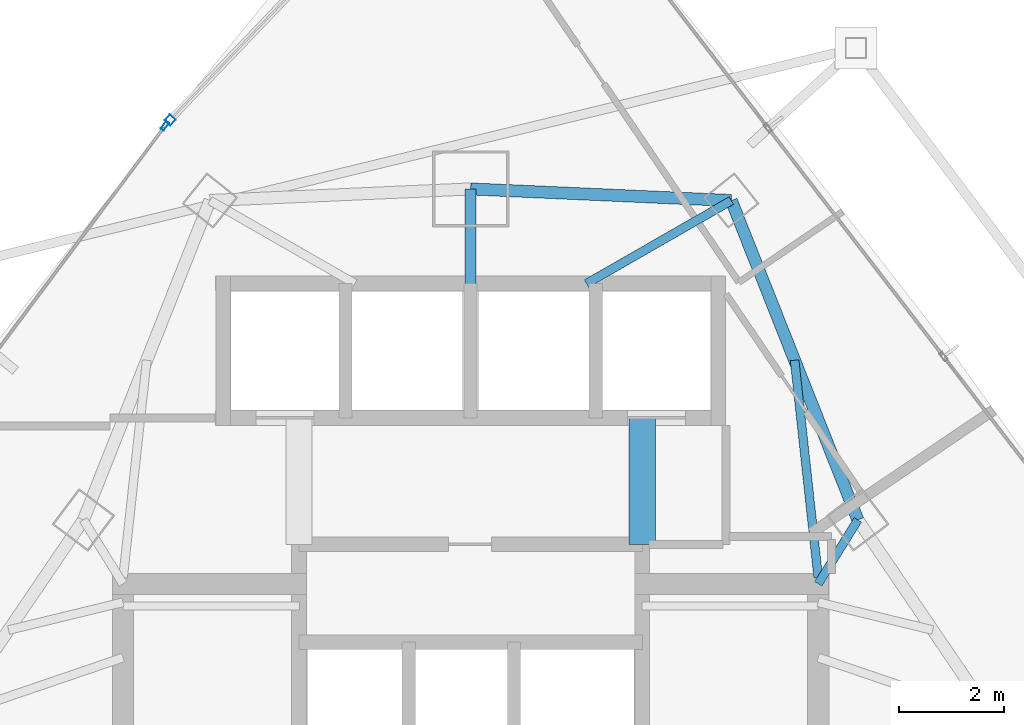
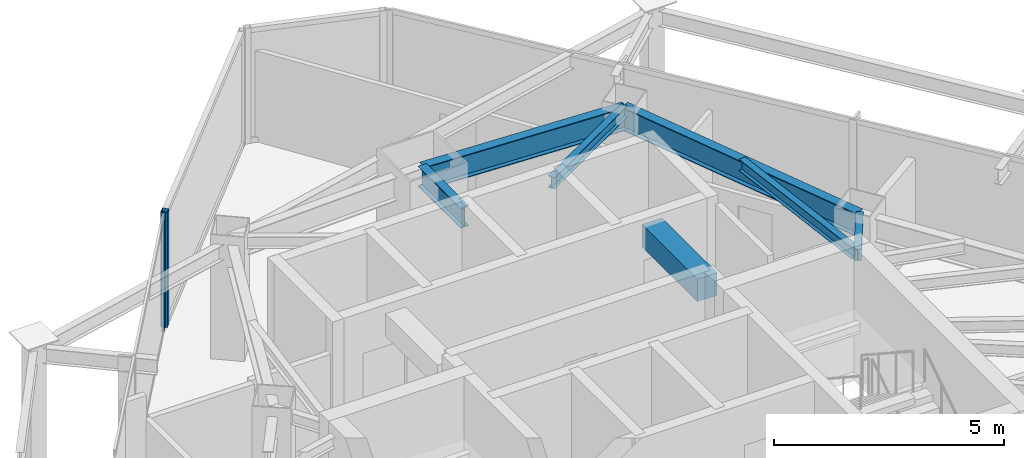
# One storey, part 19 of 29: 7 beams, 2 members, 2 elements without a shape of their own.
"""IFC4 building model written with IfcOpenShell, lengths in metres."""

import ifcopenshell
import ifcopenshell.guid

model = None  # the IFC model being written
_history = None  # IfcOwnerHistory: only IFC2X3 demands one
_inside = {}  # id of a spatial element -> (the spatial element, [elements in it])
_under = {}  # id of a project, library or spatial element -> (it, [spatial elements below it])
_declared = {}  # id of a project -> (the project, [libraries it declares])
_typed = {}  # id of a type object -> (the type object, [elements of that type])
_made_of = {}  # id of a material, layer set ... -> (it, [elements and type objects made of it])


def new_model(schema):
    """Start an empty IFC model of exactly this schema.

    Asked for "IFC4X3", IfcOpenShell would pick the latest addendum, in which some entities
    have other attributes; the version numbers below select the first issue.
    IFC2X3 requires an IfcOwnerHistory on every rooted entity: one is made here for all.
    """
    global model, _history
    if schema == "IFC4X3":
        model = ifcopenshell.file(schema_version=(4, 3, 0, 0))
    else:
        model = ifcopenshell.file(schema=schema)
    _inside.clear()
    _under.clear()
    _declared.clear()
    _typed.clear()
    _made_of.clear()
    _history = None
    if model.schema == "IFC2X3":
        org = make("IfcOrganization", Name="unknown")
        user = make(
            "IfcPersonAndOrganization",
            ThePerson=make("IfcPerson", FamilyName="unknown"),
            TheOrganization=org,
        )
        app = make(
            "IfcApplication",
            ApplicationDeveloper=org,
            Version="unknown",
            ApplicationFullName="unknown",
            ApplicationIdentifier="unknown",
        )
        _history = make(
            "IfcOwnerHistory",
            OwningUser=user,
            OwningApplication=app,
            ChangeAction="ADDED",
            CreationDate=0,
        )
    return model


def make(cls, **values):
    """One entity of the class cls with the attributes given. An attribute that is None is left unset."""
    return model.create_entity(
        cls, **{name: value for name, value in values.items() if value is not None}
    )


def rooted(cls, **values):
    """An entity with a GlobalId (a new one), such as an element, a storey or a relation."""
    return make(cls, GlobalId=ifcopenshell.guid.new(), OwnerHistory=_history, **values)


def si_unit(unit_type, name, prefix=None):
    """IfcSIUnit, for example si_unit("LENGTHUNIT", "METRE", prefix="MILLI")."""
    return make("IfcSIUnit", UnitType=unit_type, Prefix=prefix, Name=name)


def assignment(units):
    """IfcUnitAssignment: the units of a project."""
    return None if units is None else make("IfcUnitAssignment", Units=units)


def point(xyz):
    """IfcCartesianPoint."""
    return None if xyz is None else make("IfcCartesianPoint", Coordinates=xyz)


def direction(xyz):
    """IfcDirection."""
    return None if xyz is None else make("IfcDirection", DirectionRatios=xyz)


def frame(location, z_axis=None, x_axis=None):
    """IfcAxis2Placement3D, a coordinate frame: its origin and axes. An axis left out is left unset."""
    return make(
        "IfcAxis2Placement3D",
        Location=point(location),
        Axis=direction(z_axis),
        RefDirection=direction(x_axis),
    )


def frame_2d(location, x_axis=None):
    """IfcAxis2Placement2D, a coordinate frame in the plane: its origin and x axis."""
    return make(
        "IfcAxis2Placement2D", Location=point(location), RefDirection=direction(x_axis)
    )


def origin():
    """The frame at (0, 0, 0) with its axes left unset."""
    return frame((0.0, 0.0, 0.0))


def origin_2d():
    """The frame at (0, 0) in the plane with its x axis left unset."""
    return frame_2d((0.0, 0.0))


def place(relative_to, where):
    """IfcLocalPlacement: puts the frame where relative to a parent placement (None: the world)."""
    return make(
        "IfcLocalPlacement", PlacementRelTo=relative_to, RelativePlacement=where
    )


def context(
    kind, dimensions, precision=None, world=None, true_north=None, identifier=None
):
    """IfcGeometricRepresentationContext, for example the 3D "Model" context."""
    return make(
        "IfcGeometricRepresentationContext",
        ContextIdentifier=identifier,
        ContextType=kind,
        CoordinateSpaceDimension=dimensions,
        Precision=precision,
        WorldCoordinateSystem=world,
        TrueNorth=true_north,
    )


def subcontext(parent, identifier, kind, view, scale=None):
    """IfcGeometricRepresentationSubContext, for example "Body" below "Model"."""
    return make(
        "IfcGeometricRepresentationSubContext",
        ContextIdentifier=identifier,
        ContextType=kind,
        ParentContext=parent,
        TargetScale=scale,
        TargetView=view,
    )


def project(units=None, contexts=None):
    """IfcProject with its units and contexts."""
    return rooted(
        "IfcProject",
        Name="project",
        RepresentationContexts=contexts,
        UnitsInContext=assignment(units),
    )


def spatial(cls, under=None, at=None, **own):
    """A site, building, storey or space (cls), placed at a placement, below another one or the project."""
    s = rooted(cls, ObjectPlacement=at, **own)
    if under is not None:
        _under.setdefault(under.id(), (under, []))[1].append(s)
    return s


def profile(cls, at=None, kind="AREA", **sizes):
    """A parametric profile (cls). Its sizes go by their IFC names, for example OverallWidth=200.0."""
    return make(cls, ProfileType=kind, Position=at, **sizes)


def rectangle(**sizes):
    """IfcRectangleProfileDef."""
    return profile("IfcRectangleProfileDef", **sizes)


def hollow_rectangle(**sizes):
    """IfcRectangleHollowProfileDef."""
    return profile("IfcRectangleHollowProfileDef", **sizes)


def i_section(**sizes):
    """IfcIShapeProfileDef."""
    return profile("IfcIShapeProfileDef", **sizes)


def extrude(swept, where, along, depth):
    """IfcExtrudedAreaSolid: the profile swept, set in the frame where, extruded along a direction by depth."""
    return make(
        "IfcExtrudedAreaSolid",
        SweptArea=swept,
        Position=where,
        ExtrudedDirection=direction(along),
        Depth=depth,
    )


def shape(context_of_items, identifier, shape_type, items):
    """IfcShapeRepresentation: the items that make up one representation, for example the "Body"."""
    return make(
        "IfcShapeRepresentation",
        ContextOfItems=context_of_items,
        RepresentationIdentifier=identifier,
        RepresentationType=shape_type,
        Items=items,
    )


def material(Name=None, Category=None):
    """IfcMaterial."""
    return make("IfcMaterial", Name=Name, Category=Category)


def layer(
    of_material, thickness, ventilated=None, Name=None, Category=None, Priority=None
):
    """IfcMaterialLayer: one layer of a wall or slab, of a material (None: an air gap)."""
    return make(
        "IfcMaterialLayer",
        Material=of_material,
        LayerThickness=thickness,
        IsVentilated=ventilated,
        Name=Name,
        Category=Category,
        Priority=Priority,
    )


def layer_set(layers, Name=None):
    """IfcMaterialLayerSet."""
    return make("IfcMaterialLayerSet", MaterialLayers=layers, LayerSetName=Name)


def material_profile(
    of_material, cross_section, Name=None, Category=None, Priority=None
):
    """IfcMaterialProfile: a cross section and its material."""
    return make(
        "IfcMaterialProfile",
        Name=Name,
        Material=of_material,
        Profile=cross_section,
        Priority=Priority,
        Category=Category,
    )


def profile_set(profiles, Name=None, composite=None):
    """IfcMaterialProfileSet."""
    return make(
        "IfcMaterialProfileSet",
        Name=Name,
        MaterialProfiles=profiles,
        CompositeProfile=composite,
    )


def made_of(thing, what):
    """Note that an element or type object is made of a material, layer set ...; save() writes the relation."""
    if what is not None:
        _made_of.setdefault(what.id(), (what, []))[1].append(thing)
    return thing


def type_object(cls, material=None, **own):
    """A type object (cls), such as IfcWallType, which elements share."""
    return made_of(rooted(cls, **own), material)


def element(
    cls,
    number,
    at=None,
    inside=None,
    cuts=None,
    type_object=None,
    material=None,
    context=None,
    identifier="Body",
    shape_type=None,
    held_by="IfcProductDefinitionShape",
    body=None,
    shapes=None,
    **own,
):
    """One element of the class cls, such as IfcWall. Its Tag is "e" and its number.

    at: its placement. inside: the storey or other place that contains it. cuts: it is an
    opening in that element (IfcRelVoidsElement). A single representation is given by context,
    identifier, shape_type and body (its items); several are given by shapes. held_by: the class
    of the entity that holds the representations. save() writes the other relations.
    """
    e = rooted(cls, Tag="e%d" % number, ObjectPlacement=at, **own)
    if body is not None:
        shapes = [shape(context, identifier, shape_type, body)]
    if shapes is not None:
        e.Representation = make(held_by, Representations=shapes)
    if inside is not None:
        _inside.setdefault(inside.id(), (inside, []))[1].append(e)
    if cuts is not None:
        rooted(
            "IfcRelVoidsElement", RelatingBuildingElement=cuts, RelatedOpeningElement=e
        )
    if type_object is not None:
        _typed.setdefault(type_object.id(), (type_object, []))[1].append(e)
    return made_of(e, material)


def aggregate(whole, parts):
    """IfcRelAggregates: a whole, such as a stair, and the parts it consists of."""
    return rooted("IfcRelAggregates", RelatingObject=whole, RelatedObjects=parts)


def save(model, path):
    """Write the relations noted so far, then the file.

    IfcRelAggregates (storeys below a building ...), IfcRelContainedInSpatialStructure (elements
    in a storey), IfcRelDefinesByType, IfcRelAssociatesMaterial and IfcRelDeclares: one each for
    every whole, place, type object, material and project.
    """
    for whole, parts in _under.values():
        aggregate(whole, parts)
    for where, things in _inside.values():
        rooted(
            "IfcRelContainedInSpatialStructure",
            RelatedElements=things,
            RelatingStructure=where,
        )
    for kind, things in _typed.values():
        rooted("IfcRelDefinesByType", RelatedObjects=things, RelatingType=kind)
    for what, things in _made_of.values():
        rooted("IfcRelAssociatesMaterial", RelatedObjects=things, RelatingMaterial=what)
    for by, libraries in _declared.values():
        rooted("IfcRelDeclares", RelatingContext=by, RelatedDefinitions=libraries)
    model.write(path)


model = new_model("IFC4")

# Units and contexts
model_context = context("Model", 3, precision=1e-05, world=origin(), true_north=direction((0.0, 1.0)))
body_context = subcontext(model_context, "Body", "Model", "MODEL_VIEW")
ifc_project = project(units=[si_unit("LENGTHUNIT", "METRE"), si_unit("AREAUNIT", "SQUARE_METRE"), si_unit("VOLUMEUNIT", "CUBIC_METRE"), si_unit("PLANEANGLEUNIT", "RADIAN"), si_unit("MASSUNIT", "GRAM", prefix="KILO")], contexts=[model_context])

# Site, building, storey
site_placement = place(None, origin())
site = spatial("IfcSite", under=ifc_project, at=site_placement, CompositionType="ELEMENT")
building_placement = place(site_placement, origin())
building = spatial("IfcBuilding", under=site, at=building_placement, Name="Orvanel Arch Residences", CompositionType="ELEMENT")
storey_placement = place(building_placement, frame((0.0, 0.0, 167.14990234375)))
storey = spatial("IfcBuildingStorey", under=building, at=storey_placement, Name="L47", CompositionType="ELEMENT", Elevation=167.14990234375)

# Beams
ifc_material_1 = material(Name="Structural steel AS/NZS 3679.1 Grade 300 (300 MPa)", Category="steel")
ifc_material_profile_1 = material_profile(ifc_material_1, i_section(OverallWidth=0.208984375, OverallDepth=0.532958984375, WebThickness=0.01025390625, FlangeThickness=0.015625, at=origin_2d()), Name="530UB92.4")
ifc_profile_set_1 = profile_set([ifc_material_profile_1], Name="Structural steel AS/NZS 3679.1 Grade 300 (300 MPa)")
beam_type_1 = type_object("IfcBeamType", Name="BG-530UB", PredefinedType="BEAM", material=ifc_profile_set_1)
beam_1_placement = place(storey_placement, frame((33.0, 39.550048828125, 2.794189453125), z_axis=(0.0, 1.0, 0.0), x_axis=(-1.0, 0.0, 0.0)))
element("IfcBeam", 1, at=beam_1_placement, inside=storey, type_object=beam_type_1, Name="L47 North Radial Girder", PredefinedType="BEAM", context=body_context, shape_type="SweptSolid", body=[
    extrude(i_section(OverallWidth=0.208984375, OverallDepth=0.532958984375, WebThickness=0.01025390625, FlangeThickness=0.015625, at=origin_2d()), origin(), (0.0, 0.0, 1.0), 1.847900390625),
])
ifc_material_profile_2 = material_profile(ifc_material_1, i_section(OverallWidth=0.1650390625, OverallDepth=0.303955078125, WebThickness=0.006103515625, FlangeThickness=0.01025390625, at=origin_2d()), Name="310UB40.4")
ifc_profile_set_2 = profile_set([ifc_material_profile_2], Name="Structural steel AS/NZS 3679.1 Grade 300 (300 MPa)")
beam_type_2 = type_object("IfcBeamType", Name="BJ-310UB", PredefinedType="JOIST", material=ifc_profile_set_2)
beam_2_placement = place(storey_placement, frame((39.60009765625, 33.89990234375, 2.908203125), z_axis=(0.526843290616, 0.84996243866, 0.0), x_axis=(-0.84996243866, 0.526843290616, 0.0)))
element("IfcBeam", 2, at=beam_2_placement, inside=storey, type_object=beam_type_2, Name="L47 NNE Wing Floor Joist", PredefinedType="JOIST", context=body_context, shape_type="SweptSolid", body=[
    extrude(i_section(OverallWidth=0.1650390625, OverallDepth=0.303955078125, WebThickness=0.006103515625, FlangeThickness=0.01025390625, at=origin_2d()), origin(), (0.0, 0.0, 1.0), 1.42724609375),
])
beam_3_placement = place(storey_placement, frame((39.60009765625, 34.02001953125, 2.908203125), z_axis=(-0.108261441852, 0.99412245735, 0.0), x_axis=(-0.99412245735, -0.108261441852, 0.0)))
element("IfcBeam", 3, at=beam_3_placement, inside=storey, type_object=beam_type_2, Name="L47 NNE2 Wing Floor Joist", PredefinedType="JOIST", context=body_context, shape_type="SweptSolid", body=[
    extrude(i_section(OverallWidth=0.1650390625, OverallDepth=0.303955078125, WebThickness=0.006103515625, FlangeThickness=0.01025390625, at=origin_2d()), origin(), (0.0, 0.0, 1.0), 4.1494140625),
])
beam_4_placement = place(storey_placement, frame((35.199951171875, 39.60009765625, 2.908203125), z_axis=(0.86736513383, 0.497672306458, 0.0), x_axis=(-0.497672306458, 0.86736513383, 0.0)))
element("IfcBeam", 4, at=beam_4_placement, inside=storey, type_object=beam_type_2, Name="L47 MNE Wing Floor Joist", PredefinedType="JOIST", context=body_context, shape_type="SweptSolid", body=[
    extrude(i_section(OverallWidth=0.1650390625, OverallDepth=0.303955078125, WebThickness=0.006103515625, FlangeThickness=0.01025390625, at=origin_2d()), origin(), (0.0, 0.0, 1.0), 3.17041015625),
])
ifc_material_2 = material(Name="Concrete S65 (65 MPa)", Category="concrete")
ifc_material_profile_3 = material_profile(ifc_material_2, rectangle(XDim=0.5, YDim=0.60009765625, at=origin_2d()), Name="RC500x600")
ifc_profile_set_3 = profile_set([ifc_material_profile_3], Name="Concrete S65 (65 MPa)")
beam_type_3 = type_object("IfcBeamType", Name="CB-500x600", PredefinedType="LINTEL", material=ifc_profile_set_3)
beam_5_placement = place(storey_placement, frame((36.260009765625, 34.64990234375, 2.760009765625), z_axis=(0.0, 1.0, 0.0), x_axis=(-1.0, 0.0, 0.0)))
element("IfcBeam", 5, at=beam_5_placement, inside=storey, type_object=beam_type_3, Name="L47 East Core Lobby Coupling Lintel Beam", PredefinedType="LINTEL", context=body_context, shape_type="SweptSolid", body=[
    extrude(rectangle(XDim=0.5, YDim=0.60009765625, at=origin_2d()), origin(), (0.0, 0.0, 1.0), 2.400146484375),
])

# Curtain wall, member
ifc_material_3 = material(Name="Bronze-anodised aluminium AA6063-T6", Category="aluminium")
ifc_layer_1 = layer(ifc_material_3, 0.18994140625)
ifc_layer_set_1 = layer_set([ifc_layer_1], Name="Bronze-anodised aluminium AA6063-T6")
curtain_wall_type_1 = type_object("IfcCurtainWallType", Name="CW5-CRN-SYS", PredefinedType="NOTDEFINED", material=ifc_layer_set_1)
curtain_wall_1_placement = place(storey_placement, origin())
curtain_wall_1 = element("IfcCurtainWall", 6, at=curtain_wall_1_placement, inside=storey, type_object=curtain_wall_type_1, Name="L47 CW5-CRN-SYS Unitised Curtain Wall", PredefinedType="NOTDEFINED")
ifc_material_profile_4 = material_profile(ifc_material_3, hollow_rectangle(XDim=0.14990234375, YDim=0.14990234375, WallThickness=0.0048828125, at=origin_2d()), Name="ALU150x150x5")
ifc_profile_set_4 = profile_set([ifc_material_profile_4], Name="Bronze-anodised aluminium AA6063-T6")
member_type_1 = type_object("IfcMemberType", Name="MUL-150x150", PredefinedType="MULLION", material=ifc_profile_set_4)
member_1_placement = place(storey_placement, frame((27.29296875, 42.708251953125, 0.0), z_axis=(0.0, 0.0, 1.0), x_axis=(0.72235820669, -0.69151906787, 0.0)))
member_1 = element("IfcMember", 7, at=member_1_placement, type_object=member_type_1, Name="CW-S5 mullion 2", PredefinedType="MULLION", context=body_context, shape_type="SweptSolid", body=[
    extrude(hollow_rectangle(XDim=0.14990234375, YDim=0.14990234375, WallThickness=0.0048828125, at=origin_2d()), origin(), (0.0, 0.0, 1.0), 3.06005859375),
])
aggregate(curtain_wall_1, [member_1])

ifc_layer_2 = layer(ifc_material_3, 0.179931640625)
ifc_layer_set_2 = layer_set([ifc_layer_2], Name="Bronze-anodised aluminium AA6063-T6")
curtain_wall_type_2 = type_object("IfcCurtainWallType", Name="CW3-MID-SYS", PredefinedType="NOTDEFINED", material=ifc_layer_set_2)
curtain_wall_2_placement = place(storey_placement, origin())
curtain_wall_2 = element("IfcCurtainWall", 8, at=curtain_wall_2_placement, inside=storey, type_object=curtain_wall_type_2, Name="L47 CW3-MID-SYS Unitised Curtain Wall", PredefinedType="NOTDEFINED")
ifc_material_profile_5 = material_profile(ifc_material_3, hollow_rectangle(XDim=0.070068359375, YDim=0.179931640625, WallThickness=0.00439453125, at=origin_2d()), Name="ALU180x70x4.5")
ifc_profile_set_5 = profile_set([ifc_material_profile_5], Name="Bronze-anodised aluminium AA6063-T6")
member_type_2 = type_object("IfcMemberType", Name="MUL-180x70", PredefinedType="MULLION", material=ifc_profile_set_5)
member_2_placement = place(storey_placement, frame((27.194091796875, 42.595947265625, 0.0), z_axis=(0.0, 0.0, 1.0), x_axis=(0.801448180864, -0.598064221794, 0.0)))
member_2 = element("IfcMember", 9, at=member_2_placement, type_object=member_type_2, Name="CW-S3 mullion 1", PredefinedType="MULLION", context=body_context, shape_type="SweptSolid", body=[
    extrude(hollow_rectangle(XDim=0.070068359375, YDim=0.179931640625, WallThickness=0.00439453125, at=origin_2d()), origin(), (0.0, 0.0, 1.0), 3.06005859375),
])
aggregate(curtain_wall_2, [member_2])

# Beams
ifc_material_profile_6 = material_profile(ifc_material_1, i_section(OverallWidth=0.22900390625, OverallDepth=0.612060546875, WebThickness=0.011962890625, FlangeThickness=0.01953125, at=origin_2d()), Name="610UB125")
ifc_profile_set_6 = profile_set([ifc_material_profile_6], Name="Structural steel AS/NZS 3679.1 Grade 300 (300 MPa)")
beam_type_4 = type_object("IfcBeamType", Name="SP-610UB", PredefinedType="SPANDREL", material=ifc_profile_set_6)
beam_6_placement = place(storey_placement, frame((40.35205078125, 35.113037109375, 2.754150390625), z_axis=(-0.368233143579, 0.929733484376, 0.0), x_axis=(-0.929733484376, -0.368233143579, 0.0)))
element("IfcBeam", 10, at=beam_6_placement, inside=storey, type_object=beam_type_4, Name="L47 Perimeter Spandrel Beam 13", PredefinedType="SPANDREL", context=body_context, shape_type="SweptSolid", body=[
    extrude(i_section(OverallWidth=0.22900390625, OverallDepth=0.612060546875, WebThickness=0.011962890625, FlangeThickness=0.01953125, at=origin_2d()), origin(), (0.0, 0.0, 1.0), 6.523193359375),
])
beam_7_placement = place(storey_placement, frame((37.949951171875, 41.177978515625, 2.754150390625), z_axis=(-0.999014049296, 0.044395149614, 0.0), x_axis=(-0.044395149614, -0.999014049296, 0.0)))
element("IfcBeam", 11, at=beam_7_placement, inside=storey, type_object=beam_type_4, Name="L47 Perimeter Spandrel Beam 14", PredefinedType="SPANDREL", context=body_context, shape_type="SweptSolid", body=[
    extrude(i_section(OverallWidth=0.22900390625, OverallDepth=0.612060546875, WebThickness=0.011962890625, FlangeThickness=0.01953125, at=origin_2d()), origin(), (0.0, 0.0, 1.0), 4.954833984375),
])

save(model, "model.ifc")
